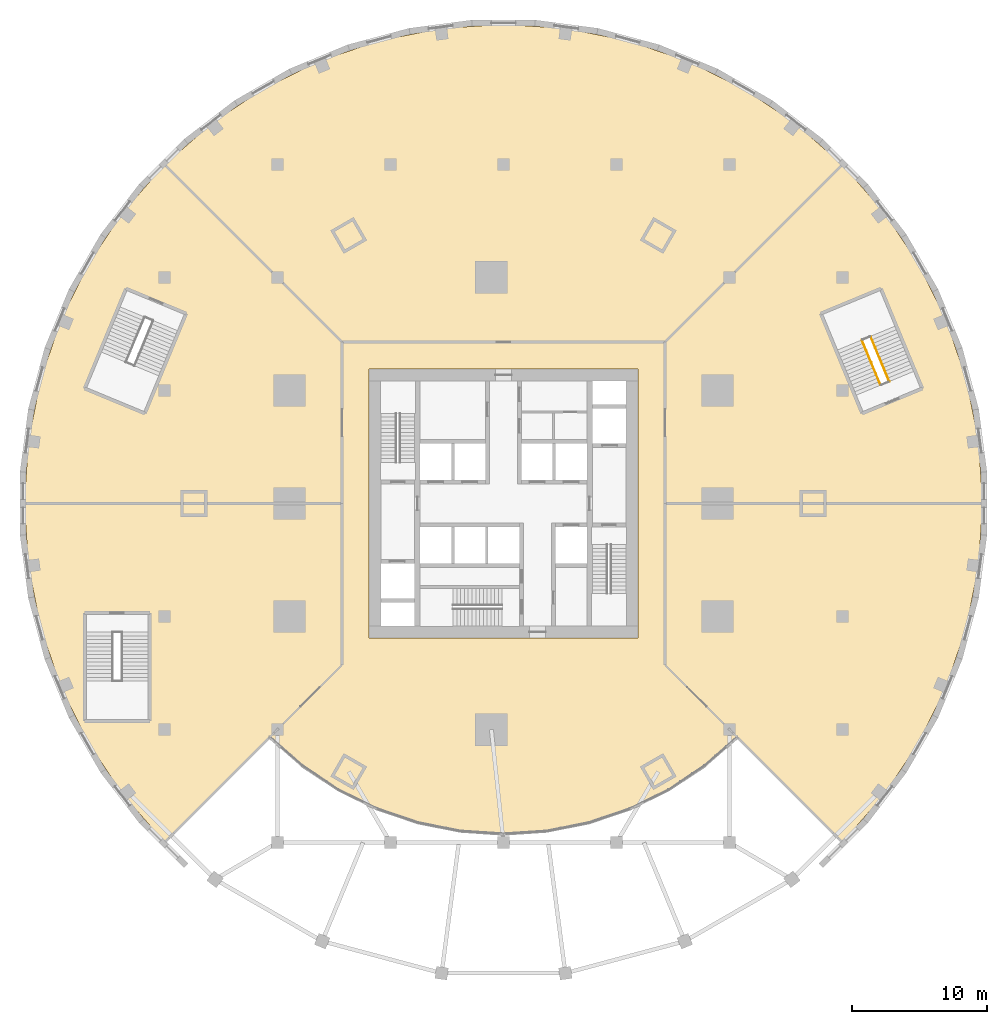
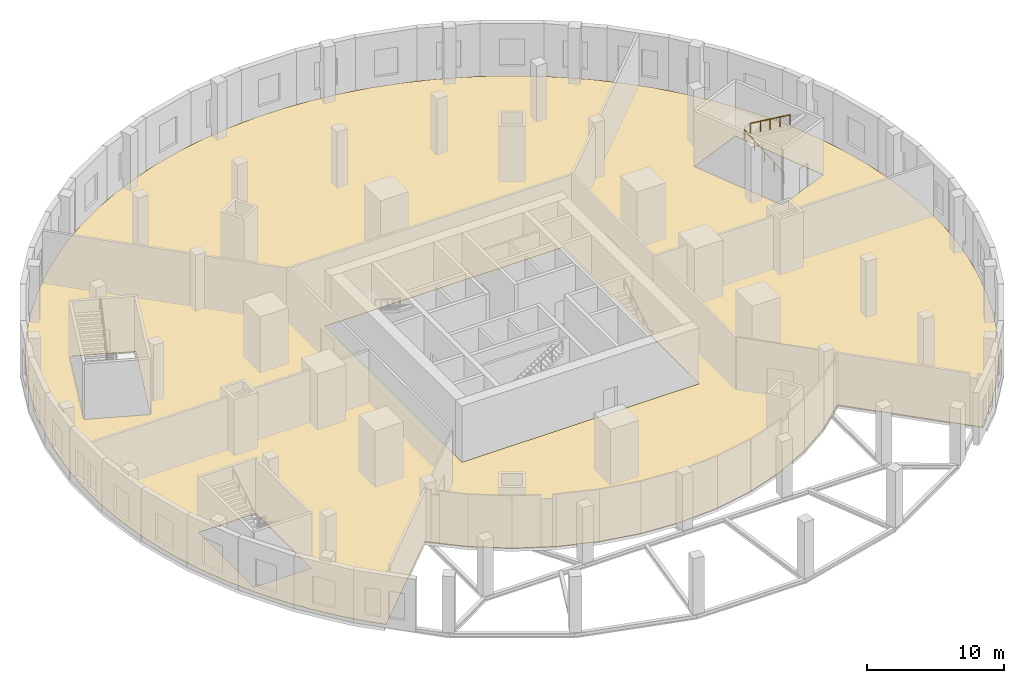
# One storey, part 10 of 11: 2 railings, 1 covering.
"""IFC4 building model written with IfcOpenShell, lengths in metres."""

from ifc_helpers import new_model, si_unit, direction, frame, origin, origin_2d, place, context, subcontext, project, spatial, polyline, circle, outline, extrude, material, layer, layer_set, type_object, element, save


model = new_model("IFC4")

# Units and contexts
model_context = context("Model", 3, precision=1e-05, world=origin(), true_north=direction((0.0, 1.0)))
body_context = subcontext(model_context, "Body", "Model", "MODEL_VIEW")
ifc_project = project(units=[si_unit("LENGTHUNIT", "METRE"), si_unit("AREAUNIT", "SQUARE_METRE"), si_unit("VOLUMEUNIT", "CUBIC_METRE"), si_unit("PLANEANGLEUNIT", "RADIAN"), si_unit("MASSUNIT", "GRAM", prefix="KILO")], contexts=[model_context])

# Site, building, storey
site_placement = place(None, origin())
site = spatial("IfcSite", under=ifc_project, at=site_placement, CompositionType="ELEMENT")
building_placement = place(site_placement, origin())
building = spatial("IfcBuilding", under=site, at=building_placement, Name="Golbaran Civic Tower", CompositionType="ELEMENT")
storey_placement = place(building_placement, frame((0.0, 0.0, 11.0)))
storey = spatial("IfcBuildingStorey", under=building, at=storey_placement, Name="L02", CompositionType="ELEMENT", Elevation=11.0)

# Railings
ifc_material_1 = material(Name="Stainless steel", Category="steel")
railing_type = type_object("IfcRailingType", Name="STAIR HANDRAIL 900", PredefinedType="HANDRAIL", material=ifc_material_1)
railing_1_placement = place(storey_placement, frame((28.0185546875, 8.79150390625, 0.178466796875)))
element("IfcRailing", 1, at=railing_1_placement, inside=storey, type_object=railing_type, Name="Stair P1 handrail flight 1 L02", PredefinedType="HANDRAIL", context=body_context, shape_type="SweptSolid", body=[
    extrude(circle(Radius=0.02392578125, at=origin_2d()), frame((0.0, 0.0, 0.8759765625), z_axis=(-0.322675525538, 0.778922658388, 0.537735992349), x_axis=(-0.923864772474, -0.382719064305, 0.0)), (0.0, 0.0, 1.0), 4.317138671875),
    extrude(circle(Radius=0.02099609375, at=origin_2d()), origin(), (0.0, 0.0, 1.0), 0.851806640625),
    extrude(circle(Radius=0.02099609375, at=origin_2d()), frame((-0.34814453125, 0.8408203125, 0.580322265625)), (0.0, 0.0, 1.0), 0.851806640625),
    extrude(circle(Radius=0.02099609375, at=origin_2d()), frame((-0.696533203125, 1.681396484375, 1.16064453125)), (0.0, 0.0, 1.0), 0.851806640625),
    extrude(circle(Radius=0.02099609375, at=origin_2d()), frame((-1.044921875, 2.52197265625, 1.7412109375)), (0.0, 0.0, 1.0), 0.851806640625),
    extrude(circle(Radius=0.02099609375, at=origin_2d()), frame((-1.39306640625, 3.36279296875, 2.321533203125)), (0.0, 0.0, 1.0), 0.851806640625),
])
railing_2_placement = place(storey_placement, frame((27.272216796875, 12.422119140625, 2.678466796875)))
element("IfcRailing", 2, at=railing_2_placement, inside=storey, type_object=railing_type, Name="Stair P1 handrail flight 2 L02", PredefinedType="HANDRAIL", context=body_context, shape_type="SweptSolid", body=[
    extrude(circle(Radius=0.02392578125, at=origin_2d()), frame((0.0, 0.0, 0.8759765625), z_axis=(0.322675525538, -0.778922658388, 0.537735992349), x_axis=(0.923864772474, 0.382719064305, 0.0)), (0.0, 0.0, 1.0), 4.317138671875),
    extrude(circle(Radius=0.02099609375, at=origin_2d()), origin(), (0.0, 0.0, 1.0), 0.851806640625),
    extrude(circle(Radius=0.02099609375, at=origin_2d()), frame((0.34814453125, -0.8408203125, 0.580322265625)), (0.0, 0.0, 1.0), 0.851806640625),
    extrude(circle(Radius=0.02099609375, at=origin_2d()), frame((0.696533203125, -1.681396484375, 1.16064453125)), (0.0, 0.0, 1.0), 0.851806640625),
    extrude(circle(Radius=0.02099609375, at=origin_2d()), frame((1.044921875, -2.52197265625, 1.7412109375)), (0.0, 0.0, 1.0), 0.851806640625),
    extrude(circle(Radius=0.02099609375, at=origin_2d()), frame((1.39306640625, -3.36279296875, 2.321533203125)), (0.0, 0.0, 1.0), 0.851806640625),
])

# Covering
ifc_material_2 = material(Name="Travertine tile on mortar bed", Category="masonry")
ifc_layer = layer(ifc_material_2, 0.030029296875, Name="Travertine tile on mortar bed")
ifc_layer_set = layer_set([ifc_layer], Name="Travertine tile on mortar bed")
covering_type = type_object("IfcCoveringType", Name="STONE FLOOR FINISH 30", PredefinedType="FLOORING", material=ifc_layer_set)
covering_placement = place(storey_placement, frame((0.0, 0.0, -0.030029296875)))
element("IfcCovering", 3, at=covering_placement, inside=storey, type_object=covering_type, Name="Stone floor finish L02", PredefinedType="FLOORING", context=body_context, shape_type="SweptSolid", body=[
    extrude(outline(polyline([(-3.2109375, -24.3896484375), (-6.366943359375, -23.76171875), (-9.4140625, -22.7275390625), (-12.300048828125, -21.30419921875), (-14.9755859375, -19.5166015625), (-17.394775390625, -17.394775390625), (-25.119140625, -25.119140625), (-25.94140625, -24.296875), (-27.474853515625, -22.548095703125), (-28.890869140625, -20.702880859375), (-30.18310546875, -18.76904296875), (-31.345947265625, -16.7548828125), (-32.374755859375, -14.668701171875), (-33.2646484375, -12.52001953125), (-34.012451171875, -10.317626953125), (-34.6142578125, -8.071044921875), (-35.068115234375, -5.789794921875), (-35.37158203125, -3.48388671875), (-35.523681640625, -1.162841796875), (-35.523681640625, 1.162841796875), (-35.37158203125, 3.48388671875), (-35.068115234375, 5.789794921875), (-34.6142578125, 8.071044921875), (-34.012451171875, 10.317626953125), (-33.2646484375, 12.52001953125), (-32.374755859375, 14.668701171875), (-31.345947265625, 16.7548828125), (-30.18310546875, 18.76904296875), (-28.890869140625, 20.702880859375), (-27.474853515625, 22.548095703125), (-25.94140625, 24.296875), (-24.296875, 25.94140625), (-22.548095703125, 27.474853515625), (-20.702880859375, 28.890869140625), (-18.76904296875, 30.18310546875), (-16.7548828125, 31.345947265625), (-14.668701171875, 32.374755859375), (-12.52001953125, 33.2646484375), (-10.317626953125, 34.012451171875), (-8.071044921875, 34.6142578125), (-5.789794921875, 35.068115234375), (-3.48388671875, 35.37158203125), (-1.162841796875, 35.523681640625), (1.162841796875, 35.523681640625), (3.48388671875, 35.37158203125), (5.789794921875, 35.068115234375), (8.071044921875, 34.6142578125), (10.317626953125, 34.012451171875), (12.52001953125, 33.2646484375), (14.668701171875, 32.374755859375), (16.7548828125, 31.345947265625), (18.76904296875, 30.18310546875), (20.702880859375, 28.890869140625), (22.548095703125, 27.474853515625), (24.296875, 25.94140625), (25.94140625, 24.296875), (27.474853515625, 22.548095703125), (28.890869140625, 20.702880859375), (30.18310546875, 18.76904296875), (31.345947265625, 16.7548828125), (32.374755859375, 14.668701171875), (33.2646484375, 12.52001953125), (34.012451171875, 10.317626953125), (34.6142578125, 8.071044921875), (35.068115234375, 5.789794921875), (35.37158203125, 3.48388671875), (35.523681640625, 1.162841796875), (35.523681640625, -1.162841796875), (35.37158203125, -3.48388671875), (35.068115234375, -5.789794921875), (34.6142578125, -8.071044921875), (34.012451171875, -10.317626953125), (33.2646484375, -12.52001953125), (32.374755859375, -14.668701171875), (31.345947265625, -16.7548828125), (30.18310546875, -18.76904296875), (28.890869140625, -20.702880859375), (27.474853515625, -22.548095703125), (25.94140625, -24.296875), (25.119140625, -25.119140625), (17.394775390625, -17.394775390625), (14.9755859375, -19.5166015625), (12.300048828125, -21.30419921875), (9.4140625, -22.7275390625), (6.366943359375, -23.76171875), (3.2109375, -24.3896484375), (0.0, -24.60009765625), (-3.2109375, -24.3896484375)]), holes=[polyline([(23.566162109375, 14.117919921875), (26.646728515625, 6.680908203125), (31.12744140625, 8.536865234375), (28.046875, 15.97412109375), (23.566162109375, 14.117919921875)]), polyline([(10.0, -10.0), (10.0, 10.0), (-10.0, 10.0), (-10.0, -10.0), (10.0, -10.0)]), polyline([(-26.646728515625, 6.680908203125), (-23.566162109375, 14.117919921875), (-28.046875, 15.97412109375), (-31.12744140625, 8.536865234375), (-26.646728515625, 6.680908203125)]), polyline([(-26.27490234375, -8.125), (-31.125, -8.125), (-31.125, -16.175048828125), (-26.27490234375, -16.175048828125), (-26.27490234375, -8.125)])]), origin(), (0.0, 0.0, 1.0), 0.030029296875),
])

save(model, "model.ifc")
